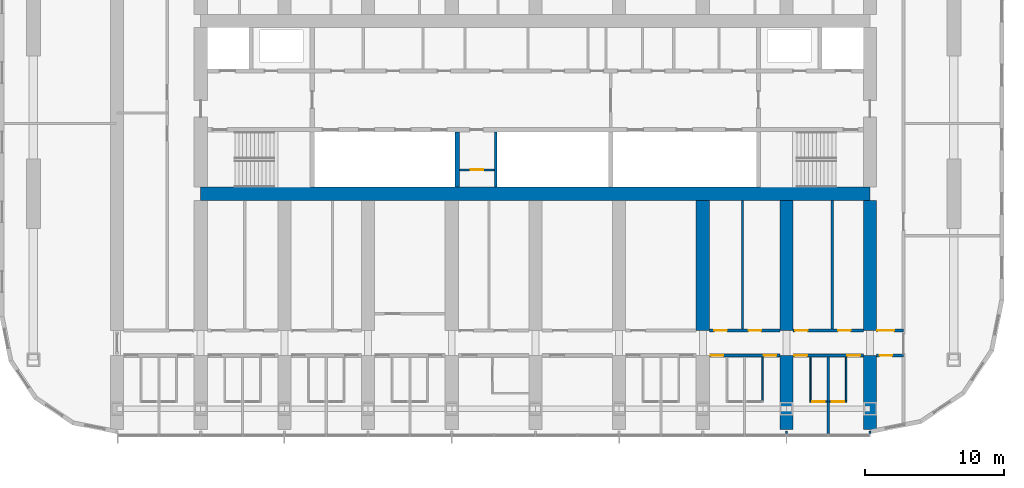
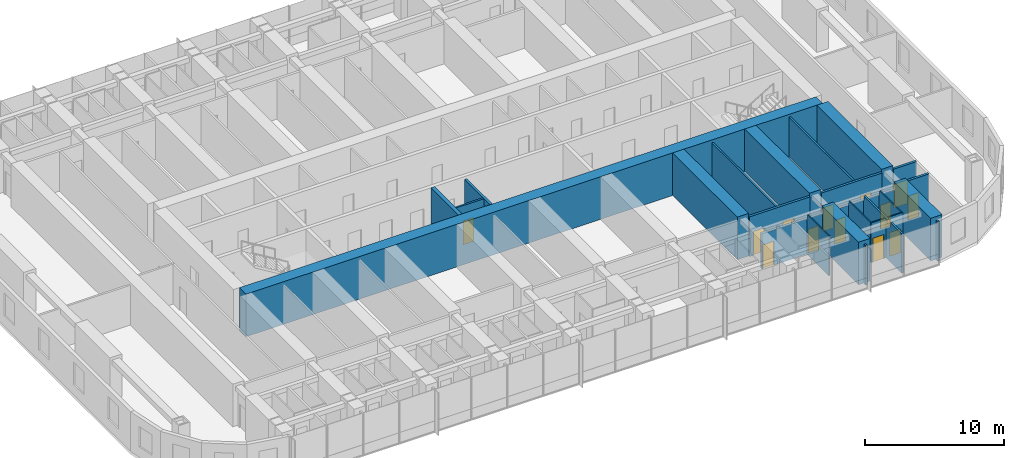
# One storey, part 11 of 22: 25 walls, 13 doors, 13 openings.
"""IFC4 building model written with IfcOpenShell, lengths in metres."""

from ifc_helpers import new_model, si_unit, direction, frame, frame_2d, origin, place, context, subcontext, project, spatial, polyline, rectangle, outline, extrude, material, layer, layer_set, type_object, element, fill, save


model = new_model("IFC4")

# Units and contexts
model_context = context("Model", 3, precision=1e-05, world=origin(), true_north=direction((0.0, 1.0)))
body_context = subcontext(model_context, "Body", "Model", "MODEL_VIEW")
ifc_project = project(units=[si_unit("LENGTHUNIT", "METRE"), si_unit("AREAUNIT", "SQUARE_METRE"), si_unit("VOLUMEUNIT", "CUBIC_METRE"), si_unit("PLANEANGLEUNIT", "RADIAN"), si_unit("MASSUNIT", "GRAM", prefix="KILO")], contexts=[model_context])

# Site, building, storey
site_placement = place(None, origin())
site = spatial("IfcSite", under=ifc_project, at=site_placement, CompositionType="ELEMENT")
building_placement = place(site_placement, origin())
building = spatial("IfcBuilding", under=site, at=building_placement, Name="Orbita Commons", CompositionType="ELEMENT")
storey_placement = place(building_placement, frame((0.0, 0.0, 121.89990234375)))
storey = spatial("IfcBuildingStorey", under=building, at=storey_placement, Name="L30", CompositionType="ELEMENT", Elevation=121.89990234375)

# Wall
ifc_material_1 = material(Name="Concrete C50/60", Category="concrete")
ifc_layer_1 = layer(ifc_material_1, 0.300048828125)
ifc_layer_set_1 = layer_set([ifc_layer_1], Name="Concrete C50/60")
wall_type_1 = type_object("IfcWallType", Name="Core inner wall 300 C50/60", PredefinedType="SHEAR", material=ifc_layer_set_1)
wall_1_placement = place(storey_placement, frame((36.39990234375, 26.27490234375, 0.0), z_axis=(0.0, 0.0, 1.0), x_axis=(0.0, 1.0, 0.0)))
element("IfcWall", 1, at=wall_1_placement, inside=storey, type_object=wall_type_1, Name="Hoistway division wall L30", PredefinedType="SHEAR", context=body_context, shape_type="SweptSolid", body=[
    extrude(rectangle(XDim=3.97509765625, YDim=0.300048828125, at=frame_2d((1.987548828125, 0.0))), origin(), (0.0, 0.0, 1.0), 3.75),
])

# Wall, opening, door
ifc_material_2 = material(Name="Concrete blockwork", Category="masonry")
ifc_layer_2 = layer(ifc_material_2, 0.14990234375)
ifc_layer_set_2 = layer_set([ifc_layer_2], Name="Concrete blockwork")
wall_type_2 = type_object("IfcWallType", Name="Core partition 150 blockwork", PredefinedType="SOLIDWALL", material=ifc_layer_set_2)
wall_2_placement = place(storey_placement, frame((36.550048828125, 27.52490234375, 0.0), z_axis=(0.0, 0.0, 1.0), x_axis=(1.0, 0.0, 0.0)))
wall_2 = element("IfcWall", 2, at=wall_2_placement, inside=storey, type_object=wall_type_2, Name="Core partition 150 blockwork L30", PredefinedType="SOLIDWALL", context=body_context, shape_type="SweptSolid", body=[
    extrude(rectangle(XDim=2.5, YDim=0.14990234375, at=frame_2d((1.25, 0.0))), origin(), (0.0, 0.0, 1.0), 3.5),
])
opening_1_placement = place(wall_2_placement, frame((0.800048828125, 0.0, 0.0)))
opening_1 = element("IfcOpeningElement", 3, at=opening_1_placement, cuts=wall_2, Name="Opening D05", PredefinedType="OPENING", context=body_context, shape_type="SweptSolid", body=[
    extrude(rectangle(XDim=0.89990234375, YDim=2.10009765625, at=frame_2d((0.449951171875, 1.050048828125))), frame((0.0, 0.0849609375, 0.0), z_axis=(0.0, -1.0, 0.0), x_axis=(1.0, 0.0, 0.0)), (0.0, 0.0, 1.0), 0.169921875),
])
ifc_material_3 = material(Name="Steel-faced fire door leaf", Category="steel")
door_type_1 = type_object("IfcDoorType", Name="Service door 20 min 900x2100", OperationType="SINGLE_SWING_LEFT", PredefinedType="DOOR", material=ifc_material_3)
door_1_placement = place(opening_1_placement, origin())
door_1 = element("IfcDoor", 4, at=door_1_placement, inside=storey, type_object=door_type_1, Name="Cupboard door off Residents' store", OperationType="SINGLE_SWING_LEFT", OverallHeight=2.10009765625, OverallWidth=0.89990234375, PredefinedType="DOOR", context=body_context, shape_type="SweptSolid", body=[
    extrude(rectangle(XDim=0.89990234375, YDim=2.10009765625, at=frame_2d((0.449951171875, 1.050048828125))), frame((0.0, 0.02490234375, 0.0), z_axis=(0.0, -1.0, 0.0), x_axis=(1.0, 0.0, 0.0)), (0.0, 0.0, 1.0), 0.050048828125),
])
fill(opening_1, door_1)

# Wall
ifc_material_4 = material(Name="Concrete C50/60", Category="concrete")
ifc_layer_3 = layer(ifc_material_4, 0.949951171875)
ifc_layer_set_3 = layer_set([ifc_layer_3], Name="Concrete C50/60")
wall_type_3 = type_object("IfcWallType", Name="Core wall 950 C50/60", PredefinedType="SHEAR", material=ifc_layer_set_3)
wall_3_placement = place(storey_placement, frame((18.0, 25.800048828125, 0.0), z_axis=(0.0, 0.0, 1.0), x_axis=(1.0, 0.0, 0.0)))
element("IfcWall", 5, at=wall_3_placement, inside=storey, type_object=wall_type_3, Name="Core spine wall south L30", PredefinedType="SHEAR", context=body_context, shape_type="SweptSolid", body=[
    extrude(rectangle(XDim=48.0, YDim=0.949951171875, at=frame_2d((24.0, 0.0))), origin(), (0.0, 0.0, 1.0), 3.75),
])

# Wall, openings, doors
ifc_material_5 = material(Name="Concrete blockwork", Category="masonry")
ifc_layer_4 = layer(ifc_material_5, 0.199951171875)
ifc_layer_set_4 = layer_set([ifc_layer_4], Name="Concrete blockwork")
wall_type_4 = type_object("IfcWallType", Name="Corridor wall 200 blockwork", PredefinedType="SOLIDWALL", material=ifc_layer_set_4)
wall_4_placement = place(storey_placement, frame((54.47509765625, 14.199951171875, 0.0), z_axis=(0.0, 0.0, 1.0), x_axis=(1.0, 0.0, 0.0)))
wall_4 = element("IfcWall", 6, at=wall_4_placement, inside=storey, type_object=wall_type_4, Name="Corridor wall 200 blockwork L30", PredefinedType="SOLIDWALL", context=body_context, shape_type="SweptSolid", body=[
    extrude(outline(polyline([(0.0, 0.0), (5.0498046875, 0.0), (5.050048828125, 3.10009765625), (0.0, 3.10009765625), (0.0, 0.0)])), frame((0.0, 0.10009765625, 0.0), z_axis=(0.0, -1.0, 0.0), x_axis=(1.0, 0.0, 0.0)), (0.0, 0.0, 1.0), 0.199951171875),
])
opening_2_placement = place(wall_4_placement, frame((0.10009765625, 0.0, 0.0)))
opening_2 = element("IfcOpeningElement", 7, at=opening_2_placement, cuts=wall_4, Name="Opening D11", PredefinedType="OPENING", context=body_context, shape_type="SweptSolid", body=[
    extrude(rectangle(XDim=0.89990234375, YDim=2.10009765625, at=frame_2d((0.449951171875, 1.050048828125))), frame((0.0, 0.10986328125, 0.0), z_axis=(0.0, -1.0, 0.0), x_axis=(1.0, 0.0, 0.0)), (0.0, 0.0, 1.0), 0.219970703125),
])
opening_3_placement = place(wall_4_placement, frame((3.89990234375, 0.0, 0.0)))
opening_3 = element("IfcOpeningElement", 8, at=opening_3_placement, cuts=wall_4, Name="Opening D11", PredefinedType="OPENING", context=body_context, shape_type="SweptSolid", body=[
    extrude(rectangle(XDim=0.89990234375, YDim=2.10009765625, at=frame_2d((0.449951171875, 1.050048828125))), frame((0.0, 0.10986328125, 0.0), z_axis=(0.0, -1.0, 0.0), x_axis=(1.0, 0.0, 0.0)), (0.0, 0.0, 1.0), 0.219970703125),
])
ifc_material_6 = material(Name="Steel-faced fire door leaf", Category="steel")
door_type_2 = type_object("IfcDoorType", Name="Corridor door 20 min 900x2100", OperationType="SINGLE_SWING_LEFT", PredefinedType="DOOR", material=ifc_material_6)
door_2_placement = place(opening_2_placement, origin())
door_2 = element("IfcDoor", 9, at=door_2_placement, inside=storey, type_object=door_type_2, Name="Cluster bedroom L30-S14 door", OperationType="SINGLE_SWING_LEFT", OverallHeight=2.10009765625, OverallWidth=0.89990234375, PredefinedType="DOOR", context=body_context, shape_type="SweptSolid", body=[
    extrude(rectangle(XDim=0.89990234375, YDim=2.10009765625, at=frame_2d((0.449951171875, 1.050048828125))), frame((0.0, 0.02490234375, 0.0), z_axis=(0.0, -1.0, 0.0), x_axis=(1.0, 0.0, 0.0)), (0.0, 0.0, 1.0), 0.050048828125),
])
fill(opening_2, door_2)
door_3_placement = place(opening_3_placement, origin())
door_3 = element("IfcDoor", 10, at=door_3_placement, inside=storey, type_object=door_type_2, Name="Cluster bedroom L30-S15 door", OperationType="SINGLE_SWING_LEFT", OverallHeight=2.10009765625, OverallWidth=0.89990234375, PredefinedType="DOOR", context=body_context, shape_type="SweptSolid", body=[
    extrude(rectangle(XDim=0.89990234375, YDim=2.10009765625, at=frame_2d((0.449951171875, 1.050048828125))), frame((0.0, 0.02490234375, 0.0), z_axis=(0.0, -1.0, 0.0), x_axis=(1.0, 0.0, 0.0)), (0.0, 0.0, 1.0), 0.050048828125),
])
fill(opening_3, door_3)

wall_5_placement = place(storey_placement, frame((60.47509765625, 14.199951171875, 0.0), z_axis=(0.0, 0.0, 1.0), x_axis=(1.0, 0.0, 0.0)))
wall_5 = element("IfcWall", 11, at=wall_5_placement, inside=storey, type_object=wall_type_4, Name="Corridor wall 200 blockwork L30", PredefinedType="SOLIDWALL", context=body_context, shape_type="SweptSolid", body=[
    extrude(outline(polyline([(0.0, 0.0), (5.0498046875, 0.0), (5.050048828125, 3.10009765625), (0.0, 3.10009765625), (0.0, 0.0)])), frame((0.0, 0.10009765625, 0.0), z_axis=(0.0, -1.0, 0.0), x_axis=(1.0, 0.0, 0.0)), (0.0, 0.0, 1.0), 0.199951171875),
])
opening_4_placement = place(wall_5_placement, frame((0.10009765625, 0.0, 0.0)))
opening_4 = element("IfcOpeningElement", 12, at=opening_4_placement, cuts=wall_5, Name="Opening D11", PredefinedType="OPENING", context=body_context, shape_type="SweptSolid", body=[
    extrude(rectangle(XDim=0.89990234375, YDim=2.10009765625, at=frame_2d((0.449951171875, 1.050048828125))), frame((0.0, 0.10986328125, 0.0), z_axis=(0.0, -1.0, 0.0), x_axis=(1.0, 0.0, 0.0)), (0.0, 0.0, 1.0), 0.219970703125),
])
opening_5_placement = place(wall_5_placement, frame((3.89990234375, 0.0, 0.0)))
opening_5 = element("IfcOpeningElement", 13, at=opening_5_placement, cuts=wall_5, Name="Opening D11", PredefinedType="OPENING", context=body_context, shape_type="SweptSolid", body=[
    extrude(rectangle(XDim=0.89990234375, YDim=2.10009765625, at=frame_2d((0.449951171875, 1.050048828125))), frame((0.0, 0.10986328125, 0.0), z_axis=(0.0, -1.0, 0.0), x_axis=(1.0, 0.0, 0.0)), (0.0, 0.0, 1.0), 0.219970703125),
])
door_4_placement = place(opening_4_placement, origin())
door_4 = element("IfcDoor", 14, at=door_4_placement, inside=storey, type_object=door_type_2, Name="Cluster bedroom L30-S16 door", OperationType="SINGLE_SWING_LEFT", OverallHeight=2.10009765625, OverallWidth=0.89990234375, PredefinedType="DOOR", context=body_context, shape_type="SweptSolid", body=[
    extrude(rectangle(XDim=0.89990234375, YDim=2.10009765625, at=frame_2d((0.449951171875, 1.050048828125))), frame((0.0, 0.02490234375, 0.0), z_axis=(0.0, -1.0, 0.0), x_axis=(1.0, 0.0, 0.0)), (0.0, 0.0, 1.0), 0.050048828125),
])
fill(opening_4, door_4)
door_5_placement = place(opening_5_placement, origin())
door_5 = element("IfcDoor", 15, at=door_5_placement, inside=storey, type_object=door_type_2, Name="Cluster bedroom L30-S17 door", OperationType="SINGLE_SWING_LEFT", OverallHeight=2.10009765625, OverallWidth=0.89990234375, PredefinedType="DOOR", context=body_context, shape_type="SweptSolid", body=[
    extrude(rectangle(XDim=0.89990234375, YDim=2.10009765625, at=frame_2d((0.449951171875, 1.050048828125))), frame((0.0, 0.02490234375, 0.0), z_axis=(0.0, -1.0, 0.0), x_axis=(1.0, 0.0, 0.0)), (0.0, 0.0, 1.0), 0.050048828125),
])
fill(opening_5, door_5)

# Wall, opening, door
wall_6_placement = place(storey_placement, frame((66.47509765625, 14.199951171875, 0.0), z_axis=(0.0, 0.0, 1.0), x_axis=(1.0, 0.0, 0.0)))
wall_6 = element("IfcWall", 16, at=wall_6_placement, inside=storey, type_object=wall_type_4, Name="Corridor wall 200 blockwork L30", PredefinedType="SOLIDWALL", context=body_context, shape_type="SweptSolid", body=[
    extrude(rectangle(XDim=1.9248046875, YDim=0.199951171875, at=frame_2d((0.96240234375, 0.0))), origin(), (0.0, 0.0, 1.0), 3.5),
])
opening_6_placement = place(wall_6_placement, frame((0.199951171875, 0.0, 0.0)))
opening_6 = element("IfcOpeningElement", 17, at=opening_6_placement, cuts=wall_6, Name="Opening D05", PredefinedType="OPENING", context=body_context, shape_type="SweptSolid", body=[
    extrude(rectangle(XDim=0.89990234375, YDim=2.10009765625, at=frame_2d((0.449951171875, 1.050048828125))), frame((0.0, 0.10986328125, 0.0), z_axis=(0.0, -1.0, 0.0), x_axis=(1.0, 0.0, 0.0)), (0.0, 0.0, 1.0), 0.219970703125),
])
door_6_placement = place(opening_6_placement, origin())
door_6 = element("IfcDoor", 18, at=door_6_placement, inside=storey, type_object=door_type_1, Name="Linen store L30-KES door", OperationType="SINGLE_SWING_LEFT", OverallHeight=2.10009765625, OverallWidth=0.89990234375, PredefinedType="DOOR", context=body_context, shape_type="SweptSolid", body=[
    extrude(rectangle(XDim=0.89990234375, YDim=2.10009765625, at=frame_2d((0.449951171875, 1.050048828125))), frame((0.0, 0.02490234375, 0.0), z_axis=(0.0, -1.0, 0.0), x_axis=(1.0, 0.0, 0.0)), (0.0, 0.0, 1.0), 0.050048828125),
])
fill(opening_6, door_6)

# Wall, openings, doors
ifc_material_7 = material(Name="Hollow concrete block 200", Category="concrete")
ifc_layer_5 = layer(ifc_material_7, 0.199951171875)
ifc_layer_set_5 = layer_set([ifc_layer_5], Name="Hollow concrete block 200")
wall_type_5 = type_object("IfcWallType", Name="Corridor wall 200 hollow concrete block", PredefinedType="SOLIDWALL", material=ifc_layer_set_5)
wall_7_placement = place(storey_placement, frame((54.47509765625, 16.0, 0.0), z_axis=(0.0, 0.0, 1.0), x_axis=(1.0, 0.0, 0.0)))
wall_7 = element("IfcWall", 19, at=wall_7_placement, inside=storey, type_object=wall_type_5, Name="Corridor wall 200 hollow concrete block L30", PredefinedType="SOLIDWALL", context=body_context, shape_type="SweptSolid", body=[
    extrude(rectangle(XDim=5.0498046875, YDim=0.199951171875, at=frame_2d((2.52490234375, 0.0))), origin(), (0.0, 0.0, 1.0), 3.5),
])
opening_7_placement = place(wall_7_placement, frame((0.35009765625, 0.0, 0.0)))
opening_7 = element("IfcOpeningElement", 20, at=opening_7_placement, cuts=wall_7, Name="Opening D11", PredefinedType="OPENING", context=body_context, shape_type="SweptSolid", body=[
    extrude(rectangle(XDim=0.89990234375, YDim=2.10009765625, at=frame_2d((0.449951171875, 1.050048828125))), frame((0.0, 0.10986328125, 0.0), z_axis=(0.0, -1.0, 0.0), x_axis=(1.0, 0.0, 0.0)), (0.0, 0.0, 1.0), 0.219970703125),
])
opening_8_placement = place(wall_7_placement, frame((2.804931640625, 0.0, 0.0)))
opening_8 = element("IfcOpeningElement", 21, at=opening_8_placement, cuts=wall_7, Name="Opening D11", PredefinedType="OPENING", context=body_context, shape_type="SweptSolid", body=[
    extrude(rectangle(XDim=0.89990234375, YDim=2.10009765625, at=frame_2d((0.449951171875, 1.050048828125))), frame((0.0, 0.10986328125, 0.0), z_axis=(0.0, -1.0, 0.0), x_axis=(1.0, 0.0, 0.0)), (0.0, 0.0, 1.0), 0.219970703125),
])
door_7_placement = place(opening_7_placement, origin())
door_7 = element("IfcDoor", 22, at=door_7_placement, inside=storey, type_object=door_type_2, Name="Sprinkler valve room L30-BDS54n door", OperationType="SINGLE_SWING_LEFT", OverallHeight=2.10009765625, OverallWidth=0.89990234375, PredefinedType="DOOR", context=body_context, shape_type="SweptSolid", body=[
    extrude(rectangle(XDim=0.89990234375, YDim=2.10009765625, at=frame_2d((0.449951171875, 1.050048828125))), frame((0.0, 0.02490234375, 0.0), z_axis=(0.0, -1.0, 0.0), x_axis=(1.0, 0.0, 0.0)), (0.0, 0.0, 1.0), 0.050048828125),
])
fill(opening_7, door_7)
door_8_placement = place(opening_8_placement, origin())
door_8 = element("IfcDoor", 23, at=door_8_placement, inside=storey, type_object=door_type_2, Name="Ventilation plant room south L30-BDS54 door", OperationType="SINGLE_SWING_LEFT", OverallHeight=2.10009765625, OverallWidth=0.89990234375, PredefinedType="DOOR", context=body_context, shape_type="SweptSolid", body=[
    extrude(rectangle(XDim=0.89990234375, YDim=2.10009765625, at=frame_2d((0.449951171875, 1.050048828125))), frame((0.0, 0.02490234375, 0.0), z_axis=(0.0, -1.0, 0.0), x_axis=(1.0, 0.0, 0.0)), (0.0, 0.0, 1.0), 0.050048828125),
])
fill(opening_8, door_8)

wall_8_placement = place(storey_placement, frame((60.47509765625, 16.0, 0.0), z_axis=(0.0, 0.0, 1.0), x_axis=(1.0, 0.0, 0.0)))
wall_8 = element("IfcWall", 24, at=wall_8_placement, inside=storey, type_object=wall_type_5, Name="Corridor wall 200 hollow concrete block L30", PredefinedType="SOLIDWALL", context=body_context, shape_type="SweptSolid", body=[
    extrude(rectangle(XDim=5.0498046875, YDim=0.199951171875, at=frame_2d((2.52490234375, 0.0))), origin(), (0.0, 0.0, 1.0), 3.5),
])
opening_9_placement = place(wall_8_placement, frame((0.14990234375, 0.0, 0.0)))
opening_9 = element("IfcOpeningElement", 25, at=opening_9_placement, cuts=wall_8, Name="Opening D11", PredefinedType="OPENING", context=body_context, shape_type="SweptSolid", body=[
    extrude(rectangle(XDim=0.89990234375, YDim=2.10009765625, at=frame_2d((0.449951171875, 1.050048828125))), frame((0.0, 0.10986328125, 0.0), z_axis=(0.0, -1.0, 0.0), x_axis=(1.0, 0.0, 0.0)), (0.0, 0.0, 1.0), 0.219970703125),
])
opening_10_placement = place(wall_8_placement, frame((3.235107421875, 0.0, 0.0)))
opening_10 = element("IfcOpeningElement", 26, at=opening_10_placement, cuts=wall_8, Name="Opening D11", PredefinedType="OPENING", context=body_context, shape_type="SweptSolid", body=[
    extrude(rectangle(XDim=0.89990234375, YDim=2.10009765625, at=frame_2d((0.449951171875, 1.050048828125))), frame((0.0, 0.10986328125, 0.0), z_axis=(0.0, -1.0, 0.0), x_axis=(1.0, 0.0, 0.0)), (0.0, 0.0, 1.0), 0.219970703125),
])
door_9_placement = place(opening_9_placement, origin())
door_9 = element("IfcDoor", 27, at=door_9_placement, inside=storey, type_object=door_type_2, Name="Cluster pantry L30-BDS60 door", OperationType="SINGLE_SWING_LEFT", OverallHeight=2.10009765625, OverallWidth=0.89990234375, PredefinedType="DOOR", context=body_context, shape_type="SweptSolid", body=[
    extrude(rectangle(XDim=0.89990234375, YDim=2.10009765625, at=frame_2d((0.449951171875, 1.050048828125))), frame((0.0, 0.02490234375, 0.0), z_axis=(0.0, -1.0, 0.0), x_axis=(1.0, 0.0, 0.0)), (0.0, 0.0, 1.0), 0.050048828125),
])
fill(opening_9, door_9)
door_10_placement = place(opening_10_placement, origin())
door_10 = element("IfcDoor", 28, at=door_10_placement, inside=storey, type_object=door_type_2, Name="Water heater cupboard L30-BDS60n door", OperationType="SINGLE_SWING_LEFT", OverallHeight=2.10009765625, OverallWidth=0.89990234375, PredefinedType="DOOR", context=body_context, shape_type="SweptSolid", body=[
    extrude(rectangle(XDim=0.89990234375, YDim=2.10009765625, at=frame_2d((0.449951171875, 1.050048828125))), frame((0.0, 0.02490234375, 0.0), z_axis=(0.0, -1.0, 0.0), x_axis=(1.0, 0.0, 0.0)), (0.0, 0.0, 1.0), 0.050048828125),
])
fill(opening_10, door_10)

# Wall, opening, door
wall_9_placement = place(storey_placement, frame((66.47509765625, 16.0, 0.0), z_axis=(0.0, 0.0, 1.0), x_axis=(1.0, 0.0, 0.0)))
wall_9 = element("IfcWall", 29, at=wall_9_placement, inside=storey, type_object=wall_type_5, Name="Corridor wall 200 hollow concrete block L30", PredefinedType="SOLIDWALL", context=body_context, shape_type="SweptSolid", body=[
    extrude(rectangle(XDim=1.9248046875, YDim=0.199951171875, at=frame_2d((0.96240234375, 0.0))), origin(), (0.0, 0.0, 1.0), 3.5),
])
opening_11_placement = place(wall_9_placement, frame((0.050048828125, 0.0, 0.0)))
opening_11 = element("IfcOpeningElement", 30, at=opening_11_placement, cuts=wall_9, Name="Opening D12", PredefinedType="OPENING", context=body_context, shape_type="SweptSolid", body=[
    extrude(rectangle(XDim=1.199951171875, YDim=2.10009765625, at=frame_2d((0.60009765625, 1.050048828125))), frame((0.0, 0.10986328125, 0.0), z_axis=(0.0, -1.0, 0.0), x_axis=(1.0, 0.0, 0.0)), (0.0, 0.0, 1.0), 0.219970703125),
])
ifc_material_8 = material(Name="Steel-faced fire door leaf", Category="steel")
door_type_3 = type_object("IfcDoorType", Name="Double corridor door 20 min 1200x2100", OperationType="DOUBLE_DOOR_SINGLE_SWING", PredefinedType="DOOR", material=ifc_material_8)
door_11_placement = place(opening_11_placement, origin())
door_11 = element("IfcDoor", 31, at=door_11_placement, inside=storey, type_object=door_type_3, Name="Cross corridor doors", OperationType="DOUBLE_DOOR_SINGLE_SWING", OverallHeight=2.10009765625, OverallWidth=1.199951171875, PredefinedType="DOOR", context=body_context, shape_type="SweptSolid", body=[
    extrude(rectangle(XDim=1.199951171875, YDim=2.10009765625, at=frame_2d((0.60009765625, 1.050048828125))), frame((0.0, 0.02490234375, 0.0), z_axis=(0.0, -1.0, 0.0), x_axis=(1.0, 0.0, 0.0)), (0.0, 0.0, 1.0), 0.050048828125),
])
fill(opening_11, door_11)

# Walls
ifc_material_9 = material(Name="Concrete C50/60", Category="concrete")
ifc_layer_6 = layer(ifc_material_9, 0.949951171875)
ifc_layer_set_6 = layer_set([ifc_layer_6], Name="Concrete C50/60")
wall_type_6 = type_object("IfcWallType", Name="Cross wall 950 C50/60", PredefinedType="SHEAR", material=ifc_layer_set_6)
wall_10_placement = place(storey_placement, frame((54.0, 16.0, 0.0), z_axis=(0.0, 0.0, 1.0), x_axis=(0.0, 1.0, 0.0)))
element("IfcWall", 32, at=wall_10_placement, inside=storey, type_object=wall_type_6, Name="Cross wall 10 south inner L30", PredefinedType="SHEAR", context=body_context, shape_type="SweptSolid", body=[
    extrude(rectangle(XDim=9.324951171875, YDim=0.949951171875, at=frame_2d((4.66259765625, 0.0))), origin(), (0.0, 0.0, 1.0), 3.75),
])
wall_11_placement = place(storey_placement, frame((60.0, 8.89990234375, 0.0), z_axis=(0.0, 0.0, 1.0), x_axis=(0.0, 1.0, 0.0)))
element("IfcWall", 33, at=wall_11_placement, inside=storey, type_object=wall_type_6, Name="Cross wall 11 south outer L30", PredefinedType="SHEAR", context=body_context, shape_type="SweptSolid", body=[
    extrude(rectangle(XDim=5.300048828125, YDim=0.949951171875, at=frame_2d((2.64990234375, 0.0))), origin(), (0.0, 0.0, 1.0), 3.75),
])
wall_12_placement = place(storey_placement, frame((60.0, 16.0, 0.0), z_axis=(0.0, 0.0, 1.0), x_axis=(0.0, 1.0, 0.0)))
element("IfcWall", 34, at=wall_12_placement, inside=storey, type_object=wall_type_6, Name="Cross wall 11 south inner L30", PredefinedType="SHEAR", context=body_context, shape_type="SweptSolid", body=[
    extrude(rectangle(XDim=9.324951171875, YDim=0.949951171875, at=frame_2d((4.66259765625, 0.0))), origin(), (0.0, 0.0, 1.0), 3.75),
])
wall_13_placement = place(storey_placement, frame((66.0, 8.89990234375, 0.0), z_axis=(0.0, 0.0, 1.0), x_axis=(0.0, 1.0, 0.0)))
element("IfcWall", 35, at=wall_13_placement, inside=storey, type_object=wall_type_6, Name="Cross wall 12 south outer L30", PredefinedType="SHEAR", context=body_context, shape_type="SweptSolid", body=[
    extrude(rectangle(XDim=5.300048828125, YDim=0.949951171875, at=frame_2d((2.64990234375, 0.0))), origin(), (0.0, 0.0, 1.0), 3.75),
])
wall_14_placement = place(storey_placement, frame((66.0, 16.0, 0.0), z_axis=(0.0, 0.0, 1.0), x_axis=(0.0, 1.0, 0.0)))
element("IfcWall", 36, at=wall_14_placement, inside=storey, type_object=wall_type_6, Name="Cross wall 12 south inner L30", PredefinedType="SHEAR", context=body_context, shape_type="SweptSolid", body=[
    extrude(rectangle(XDim=9.324951171875, YDim=0.949951171875, at=frame_2d((4.66259765625, 0.0))), origin(), (0.0, 0.0, 1.0), 3.75),
])
ifc_material_10 = material(Name="Moisture-resistant plasterboard on steel studs", Category="steel")
ifc_layer_7 = layer(ifc_material_10, 0.10009765625)
ifc_layer_set_7 = layer_set([ifc_layer_7], Name="Moisture-resistant plasterboard on steel studs")
wall_type_7 = type_object("IfcWallType", Name="En-suite partition 100", PredefinedType="PARTITIONING", material=ifc_layer_set_7)
wall_15_placement = place(storey_placement, frame((58.27490234375, 10.949951171875, 0.0), z_axis=(0.0, 0.0, 1.0), x_axis=(0.0, 1.0, 0.0)))
element("IfcWall", 37, at=wall_15_placement, inside=storey, type_object=wall_type_7, Name="En-suite partition 100 L30", PredefinedType="PARTITIONING", context=body_context, shape_type="SweptSolid", body=[
    extrude(outline(polyline([(0.0, 0.0), (3.150146484375, 0.0), (3.14990234375, 3.10009765625), (3.10205078125, 3.10009765625), (3.10009765625, 3.5), (0.0, 3.5), (0.0, 0.0)])), frame((0.0, 0.050048828125, 0.0), z_axis=(0.0, -1.0, 0.0), x_axis=(1.0, 0.0, 0.0)), (0.0, 0.0, 1.0), 0.10009765625),
])

# Wall, opening, door
wall_16_placement = place(storey_placement, frame((62.925048828125, 10.89990234375, 0.0), z_axis=(0.0, 0.0, 1.0), x_axis=(-1.0, 0.0, 0.0)))
wall_16 = element("IfcWall", 38, at=wall_16_placement, inside=storey, type_object=wall_type_7, Name="En-suite partition 100 L30", PredefinedType="PARTITIONING", context=body_context, shape_type="SweptSolid", body=[
    extrude(rectangle(XDim=1.25, YDim=0.10009765625, at=frame_2d((0.625, 0.0))), origin(), (0.0, 0.0, 1.0), 3.5),
])
opening_12_placement = place(wall_16_placement, frame((0.175048828125, 0.0, 0.0)))
opening_12 = element("IfcOpeningElement", 39, at=opening_12_placement, cuts=wall_16, Name="Opening D09", PredefinedType="OPENING", context=body_context, shape_type="SweptSolid", body=[
    extrude(rectangle(XDim=0.89990234375, YDim=2.10009765625, at=frame_2d((0.449951171875, 1.050048828125))), frame((0.0, 0.06005859375, 0.0), z_axis=(0.0, -1.0, 0.0), x_axis=(1.0, 0.0, 0.0)), (0.0, 0.0, 1.0), 0.1201171875),
])
ifc_material_11 = material(Name="Laminated timber door leaf", Category="wood")
door_type_4 = type_object("IfcDoorType", Name="En-suite door 900x2100", OperationType="SINGLE_SWING_RIGHT", PredefinedType="DOOR", material=ifc_material_11)
door_12_placement = place(opening_12_placement, origin())
door_12 = element("IfcDoor", 40, at=door_12_placement, inside=storey, type_object=door_type_4, Name="En-suite L30-S16 door", OperationType="SINGLE_SWING_RIGHT", OverallHeight=2.10009765625, OverallWidth=0.89990234375, PredefinedType="DOOR", context=body_context, shape_type="SweptSolid", body=[
    extrude(rectangle(XDim=0.89990234375, YDim=2.10009765625, at=frame_2d((0.449951171875, 1.050048828125))), frame((0.0, 0.02490234375, 0.0), z_axis=(0.0, -1.0, 0.0), x_axis=(1.0, 0.0, 0.0)), (0.0, 0.0, 1.0), 0.050048828125),
])
fill(opening_12, door_12)

# Wall
wall_17_placement = place(storey_placement, frame((61.72509765625, 10.949951171875, 0.0), z_axis=(0.0, 0.0, 1.0), x_axis=(0.0, 1.0, 0.0)))
element("IfcWall", 41, at=wall_17_placement, inside=storey, type_object=wall_type_7, Name="En-suite partition 100 L30", PredefinedType="PARTITIONING", context=body_context, shape_type="SweptSolid", body=[
    extrude(outline(polyline([(0.0, 0.0), (3.150146484375, 0.0), (3.14990234375, 3.10009765625), (3.10205078125, 3.10009765625), (3.10009765625, 3.5), (0.0, 3.5), (0.0, 0.0)])), frame((0.0, 0.050048828125, 0.0), z_axis=(0.0, -1.0, 0.0), x_axis=(1.0, 0.0, 0.0)), (0.0, 0.0, 1.0), 0.10009765625),
])

# Wall, opening, door
wall_18_placement = place(storey_placement, frame((64.324951171875, 10.89990234375, 0.0), z_axis=(0.0, 0.0, 1.0), x_axis=(-1.0, 0.0, 0.0)))
wall_18 = element("IfcWall", 42, at=wall_18_placement, inside=storey, type_object=wall_type_7, Name="En-suite partition 100 L30", PredefinedType="PARTITIONING", context=body_context, shape_type="SweptSolid", body=[
    extrude(rectangle(XDim=1.25, YDim=0.10009765625, at=frame_2d((0.625, 0.0))), origin(), (0.0, 0.0, 1.0), 3.5),
])
opening_13_placement = place(wall_18_placement, frame((0.175048828125, 0.0, 0.0)))
opening_13 = element("IfcOpeningElement", 43, at=opening_13_placement, cuts=wall_18, Name="Opening D09", PredefinedType="OPENING", context=body_context, shape_type="SweptSolid", body=[
    extrude(rectangle(XDim=0.89990234375, YDim=2.10009765625, at=frame_2d((0.449951171875, 1.050048828125))), frame((0.0, 0.06005859375, 0.0), z_axis=(0.0, -1.0, 0.0), x_axis=(1.0, 0.0, 0.0)), (0.0, 0.0, 1.0), 0.1201171875),
])
door_13_placement = place(opening_13_placement, origin())
door_13 = element("IfcDoor", 44, at=door_13_placement, inside=storey, type_object=door_type_4, Name="En-suite L30-S17 door", OperationType="SINGLE_SWING_RIGHT", OverallHeight=2.10009765625, OverallWidth=0.89990234375, PredefinedType="DOOR", context=body_context, shape_type="SweptSolid", body=[
    extrude(rectangle(XDim=0.89990234375, YDim=2.10009765625, at=frame_2d((0.449951171875, 1.050048828125))), frame((0.0, 0.02490234375, 0.0), z_axis=(0.0, -1.0, 0.0), x_axis=(1.0, 0.0, 0.0)), (0.0, 0.0, 1.0), 0.050048828125),
])
fill(opening_13, door_13)

# Walls
wall_19_placement = place(storey_placement, frame((64.27490234375, 10.949951171875, 0.0), z_axis=(0.0, 0.0, 1.0), x_axis=(0.0, 1.0, 0.0)))
element("IfcWall", 45, at=wall_19_placement, inside=storey, type_object=wall_type_7, Name="En-suite partition 100 L30", PredefinedType="PARTITIONING", context=body_context, shape_type="SweptSolid", body=[
    extrude(outline(polyline([(0.0, 0.0), (3.150146484375, 0.0), (3.14990234375, 3.10009765625), (3.10205078125, 3.10009765625), (3.10009765625, 3.5), (0.0, 3.5), (0.0, 0.0)])), frame((0.0, 0.050048828125, 0.0), z_axis=(0.0, -1.0, 0.0), x_axis=(1.0, 0.0, 0.0)), (0.0, 0.0, 1.0), 0.10009765625),
])
ifc_material_12 = material(Name="Gypsum plasterboard on steel studs", Category="steel")
ifc_layer_8 = layer(ifc_material_12, 0.14990234375)
ifc_layer_set_8 = layer_set([ifc_layer_8], Name="Gypsum plasterboard on steel studs")
wall_type_8 = type_object("IfcWallType", Name="Partition 150 plasterboard", PredefinedType="PARTITIONING", material=ifc_layer_set_8)
for number, where, z_axis, x_axis, name in (
    (46, (56.85498046875, 16.10009765625, 0.0), (0.0, 0.0, 1.0), (0.0, 1.0, 0.0), "Partition 150 plasterboard L30"),
    (47, (63.284912109375, 16.10009765625, 0.0), (0.0, 0.0, 1.0), (0.0, 1.0, 0.0), "Partition 150 plasterboard L30"),
):
    element("IfcWall", number, at=place(storey_placement, frame(where, z_axis=z_axis, x_axis=x_axis)), inside=storey, type_object=wall_type_8, Name=name, PredefinedType="PARTITIONING", context=body_context, shape_type="SweptSolid", body=[
        extrude(rectangle(XDim=9.224853515625, YDim=0.14990234375, at=frame_2d((4.6123046875, 0.0))), origin(), (0.0, 0.0, 1.0), 3.5),
    ])
wall_20_placement = place(storey_placement, frame((60.0, 8.800048828125, 0.0), z_axis=(0.0, 0.0, 1.0), x_axis=(0.0, -1.0, 0.0)))
element("IfcWall", 48, at=wall_20_placement, inside=storey, type_object=wall_type_8, Name="Partition 150 plasterboard L30", PredefinedType="PARTITIONING", context=body_context, shape_type="SweptSolid", body=[
    extrude(rectangle(XDim=0.18994140625, YDim=0.14990234375, at=frame_2d((0.094970703125, 0.0))), origin(), (0.0, 0.0, 1.0), 3.5),
])
wall_21_placement = place(storey_placement, frame((66.0, 8.800048828125, 0.0), z_axis=(0.0, 0.0, 1.0), x_axis=(0.0, -1.0, 0.0)))
element("IfcWall", 49, at=wall_21_placement, inside=storey, type_object=wall_type_8, Name="Partition 150 plasterboard L30", PredefinedType="PARTITIONING", context=body_context, shape_type="SweptSolid", body=[
    extrude(rectangle(XDim=0.219970703125, YDim=0.14990234375, at=frame_2d((0.10986328125, 0.0))), origin(), (0.0, 0.0, 1.0), 3.5),
])
ifc_material_13 = material(Name="Gypsum plasterboard on steel studs", Category="steel")
ifc_layer_9 = layer(ifc_material_13, 0.14990234375)
ifc_layer_set_9 = layer_set([ifc_layer_9], Name="Gypsum plasterboard on steel studs")
wall_type_9 = type_object("IfcWallType", Name="Party wall 150 plasterboard", PredefinedType="PARTITIONING", material=ifc_layer_set_9)
wall_22_placement = place(storey_placement, frame((63.0, 8.610107421875, 0.0), z_axis=(0.0, 0.0, 1.0), x_axis=(0.0, 1.0, 0.0)))
element("IfcWall", 50, at=wall_22_placement, inside=storey, type_object=wall_type_9, Name="Party wall 150 plasterboard L30", PredefinedType="PARTITIONING", context=body_context, shape_type="SweptSolid", body=[
    extrude(outline(polyline([(0.0, 0.0), (5.489990234375, 0.0), (5.489990234375, 3.10009765625), (5.44189453125, 3.10009765625), (5.43994140625, 3.5), (1.991943359375, 3.5), (1.989990234375, 3.10009765625), (1.592041015625, 3.10009765625), (1.590087890625, 3.5), (0.0, 3.5), (0.0, 0.0)])), frame((0.0, 0.074951171875, 0.0), z_axis=(0.0, -1.0, 0.0), x_axis=(1.0, 0.0, 0.0)), (0.0, 0.0, 1.0), 0.14990234375),
])
ifc_material_14 = material(Name="Concrete blockwork, fully filled", Category="masonry")
ifc_layer_10 = layer(ifc_material_14, 0.199951171875)
ifc_layer_set_10 = layer_set([ifc_layer_10], Name="Concrete blockwork, fully filled")
wall_type_10 = type_object("IfcWallType", Name="Shaft partition 200 blockwork", PredefinedType="SOLIDWALL", material=ifc_layer_set_10)
wall_23_placement = place(storey_placement, frame((39.14990234375, 26.27490234375, 0.0), z_axis=(0.0, 0.0, 1.0), x_axis=(0.0, 1.0, 0.0)))
element("IfcWall", 51, at=wall_23_placement, inside=storey, type_object=wall_type_10, Name="Shaft partition 200 blockwork L30", PredefinedType="SOLIDWALL", context=body_context, shape_type="SweptSolid", body=[
    extrude(rectangle(XDim=3.97509765625, YDim=0.199951171875, at=frame_2d((1.987548828125, 0.0))), origin(), (0.0, 0.0, 1.0), 3.5),
])

save(model, "model.ifc")
